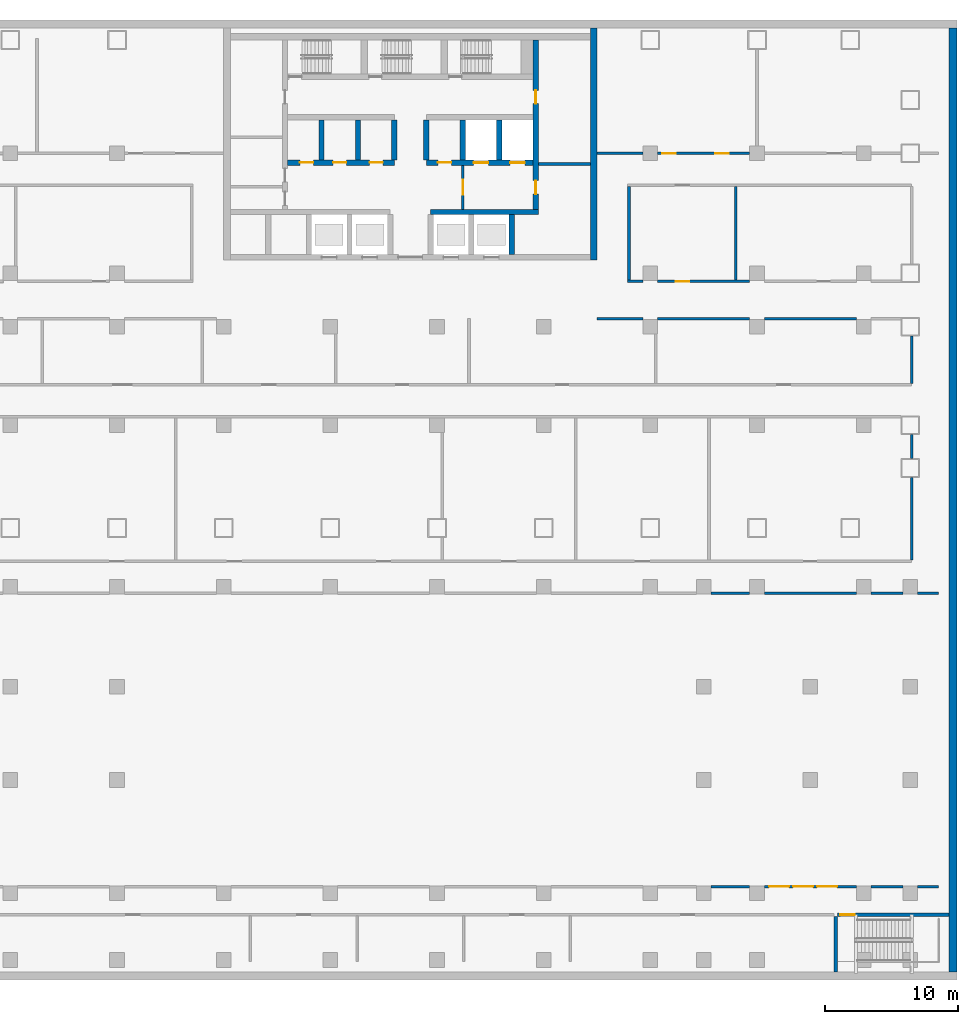
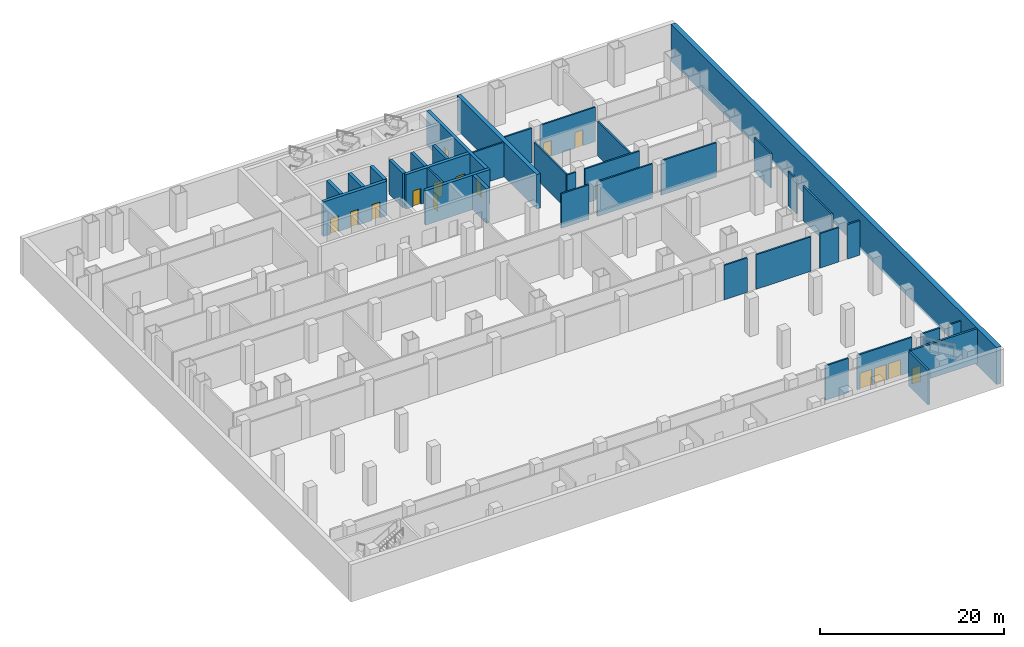
# One storey, part 6 of 12: 37 walls, 16 doors, 16 openings.
"""IFC4 building model written with IfcOpenShell, lengths in metres."""

from ifc_helpers import new_model, si_unit, direction, frame, frame_2d, origin, place, context, subcontext, project, spatial, rectangle, extrude, material, layer, layer_set, type_object, element, fill, save


model = new_model("IFC4")

# Units and contexts
model_context = context("Model", 3, precision=1e-05, world=origin(), true_north=direction((0.0, 1.0)))
body_context = subcontext(model_context, "Body", "Model", "MODEL_VIEW")
ifc_project = project(units=[si_unit("LENGTHUNIT", "METRE"), si_unit("AREAUNIT", "SQUARE_METRE"), si_unit("VOLUMEUNIT", "CUBIC_METRE"), si_unit("PLANEANGLEUNIT", "RADIAN"), si_unit("MASSUNIT", "GRAM", prefix="KILO")], contexts=[model_context])

# Site, building, storey
site_placement = place(None, origin())
site = spatial("IfcSite", under=ifc_project, at=site_placement, CompositionType="ELEMENT")
building_placement = place(site_placement, origin())
building = spatial("IfcBuilding", under=site, at=building_placement, Name="Vidyagriha Tower", CompositionType="ELEMENT")
storey_placement = place(building_placement, frame((0.0, 0.0, -5.0)))
storey = spatial("IfcBuildingStorey", under=building, at=storey_placement, Name="B1", CompositionType="ELEMENT", Elevation=-5.0)

# Wall
ifc_material_1 = material(Name="Concrete C50/60", Category="concrete")
ifc_layer_1 = layer(ifc_material_1, 0.60009765625)
ifc_layer_set_1 = layer_set([ifc_layer_1], Name="Concrete C50/60")
wall_type_1 = type_object("IfcWallType", Name="Basement retaining wall 600", PredefinedType="SOLIDWALL", material=ifc_layer_set_1)
wall_1_placement = place(storey_placement, frame((40.699951171875, -50.39990234375, -0.35009765625), z_axis=(0.0, 0.0, 1.0), x_axis=(0.0, 1.0, 0.0)))
element("IfcWall", 1, at=wall_1_placement, inside=storey, type_object=wall_type_1, Name="st-retwall-B1-e", PredefinedType="SOLIDWALL", context=body_context, shape_type="SweptSolid", body=[
    extrude(rectangle(XDim=70.7998046875, YDim=0.60009765625, at=frame_2d((35.39990234375, 0.0))), origin(), (0.0, 0.0, 1.0), 4.93017578125),
])

# Wall, opening, door
ifc_material_2 = material(Name="Concrete C32/40", Category="concrete")
ifc_layer_2 = layer(ifc_material_2, 0.25)
ifc_layer_set_2 = layer_set([ifc_layer_2], Name="Concrete C32/40")
wall_type_2 = type_object("IfcWallType", Name="Concrete Stair Enclosure Wall 250", PredefinedType="SOLIDWALL", material=ifc_layer_set_2)
wall_2_placement = place(storey_placement, frame((32.02490234375, -46.10009765625, 0.0)))
wall_2 = element("IfcWall", 2, at=wall_2_placement, inside=storey, type_object=wall_type_2, Name="B1 Concrete Stair Enclosure Wall 250 002", PredefinedType="SOLIDWALL", context=body_context, shape_type="SweptSolid", body=[
    extrude(rectangle(XDim=8.375, YDim=0.25, at=frame_2d((4.1875, 0.0))), origin(), (0.0, 0.0, 1.0), 4.580078125),
])
opening_1_placement = place(wall_2_placement, frame((0.219970703125, 0.0, 0.0)))
opening_1 = element("IfcOpeningElement", 3, at=opening_1_placement, cuts=wall_2, Name="Opening DB1-48", PredefinedType="OPENING", context=body_context, shape_type="SweptSolid", body=[
    extrude(rectangle(XDim=1.10009765625, YDim=2.10009765625, at=frame_2d((0.550048828125, 1.050048828125))), frame((0.0, 0.135009765625, 0.0), z_axis=(0.0, -1.0, 0.0), x_axis=(1.0, 0.0, 0.0)), (0.0, 0.0, 1.0), 0.27001953125),
])
ifc_material_3 = material(Name="Steel fire door set", Category="steel")
door_type_1 = type_object("IfcDoorType", Name="Podium Door 1100x2100 EI 90", OperationType="NOTDEFINED", PredefinedType="DOOR", material=ifc_material_3)
door_1_placement = place(opening_1_placement, origin())
door_1 = element("IfcDoor", 4, at=door_1_placement, inside=storey, type_object=door_type_1, Name="B1 door DB1-48", OperationType="SINGLE_SWING_LEFT", OverallHeight=2.10009765625, OverallWidth=1.10009765625, PredefinedType="DOOR", context=body_context, shape_type="SweptSolid", body=[
    extrude(rectangle(XDim=1.10009765625, YDim=2.10009765625, at=frame_2d((0.550048828125, 1.050048828125))), frame((0.0, 0.02490234375, 0.0), z_axis=(0.0, -1.0, 0.0), x_axis=(1.0, 0.0, 0.0)), (0.0, 0.0, 1.0), 0.050048828125),
])
fill(opening_1, door_1)

# Wall
wall_3_placement = place(storey_placement, frame((31.89990234375, -50.39990234375, 0.0), z_axis=(0.0, 0.0, 1.0), x_axis=(0.0, 1.0, 0.0)))
element("IfcWall", 5, at=wall_3_placement, inside=storey, type_object=wall_type_2, Name="B1 Concrete Stair Enclosure Wall 250 082", PredefinedType="SOLIDWALL", context=body_context, shape_type="SweptSolid", body=[
    extrude(rectangle(XDim=4.1748046875, YDim=0.25, at=frame_2d((2.08740234375, 0.0))), origin(), (0.0, 0.0, 1.0), 4.580078125),
])

# Wall, openings, doors
ifc_material_4 = material(Name="Concrete C60/75", Category="concrete")
ifc_layer_3 = layer(ifc_material_4, 0.39990234375)
ifc_layer_set_3 = layer_set([ifc_layer_3], Name="Concrete C60/75")
wall_type_3 = type_object("IfcWallType", Name="Core shear wall 400 mm", PredefinedType="SHEAR", material=ifc_layer_set_3)
wall_4_placement = place(storey_placement, frame((9.39990234375, 6.800048828125, 0.0), z_axis=(0.0, 0.0, 1.0), x_axis=(0.0, 1.0, 0.0)))
wall_4 = element("IfcWall", 6, at=wall_4_placement, inside=storey, type_object=wall_type_3, Name="Core east spine wall", PredefinedType="SHEAR", context=body_context, shape_type="SweptSolid", body=[
    extrude(rectangle(XDim=12.699951171875, YDim=0.39990234375, at=frame_2d((6.35009765625, 0.0))), origin(), (0.0, 0.0, 1.0), 4.580078125),
])
opening_2_placement = place(wall_4_placement, frame((1.14990234375, 0.0, 0.0)))
opening_2 = element("IfcOpeningElement", 7, at=opening_2_placement, cuts=wall_4, Name="Opening DB1-13", PredefinedType="OPENING", context=body_context, shape_type="SweptSolid", body=[
    extrude(rectangle(XDim=1.0, YDim=2.10009765625, at=frame_2d((0.5, 1.050048828125))), frame((0.0, 0.2099609375, 0.0), z_axis=(0.0, -1.0, 0.0), x_axis=(1.0, 0.0, 0.0)), (0.0, 0.0, 1.0), 0.419921875),
])
opening_3_placement = place(wall_4_placement, frame((7.925048828125, 0.0, 0.0)))
opening_3 = element("IfcOpeningElement", 8, at=opening_3_placement, cuts=wall_4, Name="Opening DB1-14", PredefinedType="OPENING", context=body_context, shape_type="SweptSolid", body=[
    extrude(rectangle(XDim=1.0, YDim=2.10009765625, at=frame_2d((0.5, 1.050048828125))), frame((0.0, 0.2099609375, 0.0), z_axis=(0.0, -1.0, 0.0), x_axis=(1.0, 0.0, 0.0)), (0.0, 0.0, 1.0), 0.419921875),
])
ifc_material_5 = material(Name="Hollow metal door leaf")
door_type_2 = type_object("IfcDoorType", Name="Core room door 1000 x 2100 mm EI 60", OperationType="NOTDEFINED", PredefinedType="DOOR", material=ifc_material_5)
door_2_placement = place(opening_2_placement, origin())
door_2 = element("IfcDoor", 9, at=door_2_placement, inside=storey, type_object=door_type_2, Name="Door Refuse Room B1.E1", OperationType="SINGLE_SWING_RIGHT", OverallHeight=2.10009765625, OverallWidth=1.0, PredefinedType="DOOR", context=body_context, shape_type="SweptSolid", body=[
    extrude(rectangle(XDim=1.0, YDim=2.10009765625, at=frame_2d((0.5, 1.050048828125))), frame((0.0, 0.02490234375, 0.0), z_axis=(0.0, -1.0, 0.0), x_axis=(1.0, 0.0, 0.0)), (0.0, 0.0, 1.0), 0.050048828125),
])
fill(opening_2, door_2)
door_3_placement = place(opening_3_placement, origin())
door_3 = element("IfcDoor", 10, at=door_3_placement, inside=storey, type_object=door_type_2, Name="Door Switchgear Room B1.E2", OperationType="SINGLE_SWING_LEFT", OverallHeight=2.10009765625, OverallWidth=1.0, PredefinedType="DOOR", context=body_context, shape_type="SweptSolid", body=[
    extrude(rectangle(XDim=1.0, YDim=2.10009765625, at=frame_2d((0.5, 1.050048828125))), frame((0.0, 0.02490234375, 0.0), z_axis=(0.0, -1.0, 0.0), x_axis=(1.0, 0.0, 0.0)), (0.0, 0.0, 1.0), 0.050048828125),
])
fill(opening_3, door_3)

# Walls
wall_5_placement = place(storey_placement, frame((1.522216796875, 6.60009765625, 0.0)))
element("IfcWall", 11, at=wall_5_placement, inside=storey, type_object=wall_type_3, Name="Core lobby south wall east", PredefinedType="SHEAR", context=body_context, shape_type="SweptSolid", body=[
    extrude(rectangle(XDim=8.077880859375, YDim=0.39990234375, at=frame_2d((4.0390625, 0.0))), origin(), (0.0, 0.0, 1.0), 4.580078125),
])
wall_6_placement = place(storey_placement, frame((7.611083984375, 3.39990234375, 0.0), z_axis=(0.0, 0.0, 1.0), x_axis=(0.0, 1.0, 0.0)))
element("IfcWall", 12, at=wall_6_placement, inside=storey, type_object=wall_type_3, Name="Core bay wall S7", PredefinedType="SHEAR", context=body_context, shape_type="SweptSolid", body=[
    extrude(rectangle(XDim=3.0, YDim=0.39990234375, at=frame_2d((1.5, 0.0))), origin(), (0.0, 0.0, 1.0), 4.580078125),
])

# Wall, openings, doors
wall_7_placement = place(storey_placement, frame((-9.199951171875, 10.300048828125, 0.0)))
wall_7 = element("IfcWall", 13, at=wall_7_placement, inside=storey, type_object=wall_type_3, Name="Core row N front wall", PredefinedType="SHEAR", context=body_context, shape_type="SweptSolid", body=[
    extrude(rectangle(XDim=8.0, YDim=0.39990234375, at=frame_2d((4.0, 0.0))), origin(), (0.0, 0.0, 1.0), 4.580078125),
])
opening_4_placement = place(wall_7_placement, frame((0.916748046875, 0.0, 0.0)))
opening_4 = element("IfcOpeningElement", 14, at=opening_4_placement, cuts=wall_7, Name="Opening DB1-02", PredefinedType="OPENING", context=body_context, shape_type="SweptSolid", body=[
    extrude(rectangle(XDim=1.0, YDim=2.10009765625, at=frame_2d((0.5, 1.050048828125))), frame((0.0, 0.2099609375, 0.0), z_axis=(0.0, -1.0, 0.0), x_axis=(1.0, 0.0, 0.0)), (0.0, 0.0, 1.0), 0.419921875),
])
opening_5_placement = place(wall_7_placement, frame((3.39990234375, 0.0, 0.0)))
opening_5 = element("IfcOpeningElement", 15, at=opening_5_placement, cuts=wall_7, Name="Opening DB1-03", PredefinedType="OPENING", context=body_context, shape_type="SweptSolid", body=[
    extrude(rectangle(XDim=1.0, YDim=2.10009765625, at=frame_2d((0.5, 1.050048828125))), frame((0.0, 0.2099609375, 0.0), z_axis=(0.0, -1.0, 0.0), x_axis=(1.0, 0.0, 0.0)), (0.0, 0.0, 1.0), 0.419921875),
])
opening_6_placement = place(wall_7_placement, frame((6.13330078125, 0.0, 0.0)))
opening_6 = element("IfcOpeningElement", 16, at=opening_6_placement, cuts=wall_7, Name="Opening DB1-04", PredefinedType="OPENING", context=body_context, shape_type="SweptSolid", body=[
    extrude(rectangle(XDim=1.0, YDim=2.10009765625, at=frame_2d((0.5, 1.050048828125))), frame((0.0, 0.2099609375, 0.0), z_axis=(0.0, -1.0, 0.0), x_axis=(1.0, 0.0, 0.0)), (0.0, 0.0, 1.0), 0.419921875),
])
door_4_placement = place(opening_4_placement, frame((1.0, 0.0, 0.0), z_axis=(0.0, 0.0, 1.0), x_axis=(-1.0, 0.0, 0.0)))
door_4 = element("IfcDoor", 17, at=door_4_placement, inside=storey, type_object=door_type_2, Name="Door Switchgear Room B1.14", OperationType="SINGLE_SWING_RIGHT", OverallHeight=2.10009765625, OverallWidth=1.0, PredefinedType="DOOR", context=body_context, shape_type="SweptSolid", body=[
    extrude(rectangle(XDim=1.0, YDim=2.10009765625, at=frame_2d((0.5, 1.050048828125))), frame((0.0, 0.02490234375, 0.0), z_axis=(0.0, -1.0, 0.0), x_axis=(1.0, 0.0, 0.0)), (0.0, 0.0, 1.0), 0.050048828125),
])
fill(opening_4, door_4)
door_5_placement = place(opening_5_placement, frame((1.0, 0.0, 0.0), z_axis=(0.0, 0.0, 1.0), x_axis=(-1.0, 0.0, 0.0)))
door_5 = element("IfcDoor", 18, at=door_5_placement, inside=storey, type_object=door_type_2, Name="Door Electrical Room B1.15", OperationType="SINGLE_SWING_RIGHT", OverallHeight=2.10009765625, OverallWidth=1.0, PredefinedType="DOOR", context=body_context, shape_type="SweptSolid", body=[
    extrude(rectangle(XDim=1.0, YDim=2.10009765625, at=frame_2d((0.5, 1.050048828125))), frame((0.0, 0.02490234375, 0.0), z_axis=(0.0, -1.0, 0.0), x_axis=(1.0, 0.0, 0.0)), (0.0, 0.0, 1.0), 0.050048828125),
])
fill(opening_5, door_5)
door_6_placement = place(opening_6_placement, frame((1.0, 0.0, 0.0), z_axis=(0.0, 0.0, 1.0), x_axis=(-1.0, 0.0, 0.0)))
door_6 = element("IfcDoor", 19, at=door_6_placement, inside=storey, type_object=door_type_2, Name="Door Cleaners Store B1.16", OperationType="SINGLE_SWING_LEFT", OverallHeight=2.10009765625, OverallWidth=1.0, PredefinedType="DOOR", context=body_context, shape_type="SweptSolid", body=[
    extrude(rectangle(XDim=1.0, YDim=2.10009765625, at=frame_2d((0.5, 1.050048828125))), frame((0.0, 0.02490234375, 0.0), z_axis=(0.0, -1.0, 0.0), x_axis=(1.0, 0.0, 0.0)), (0.0, 0.0, 1.0), 0.050048828125),
])
fill(opening_6, door_6)

wall_8_placement = place(storey_placement, frame((1.199951171875, 10.300048828125, 0.0)))
wall_8 = element("IfcWall", 20, at=wall_8_placement, inside=storey, type_object=wall_type_3, Name="Core row N front wall", PredefinedType="SHEAR", context=body_context, shape_type="SweptSolid", body=[
    extrude(rectangle(XDim=8.0, YDim=0.39990234375, at=frame_2d((4.0, 0.0))), origin(), (0.0, 0.0, 1.0), 4.580078125),
])
opening_7_placement = place(wall_8_placement, frame((3.550048828125, 0.0, 0.0)))
opening_7 = element("IfcOpeningElement", 21, at=opening_7_placement, cuts=wall_8, Name="Opening LDB1-05", PredefinedType="OPENING", context=body_context, shape_type="SweptSolid", body=[
    extrude(rectangle(XDim=1.10009765625, YDim=2.10009765625, at=frame_2d((0.550048828125, 1.050048828125))), frame((0.0, 0.2099609375, 0.0), z_axis=(0.0, -1.0, 0.0), x_axis=(1.0, 0.0, 0.0)), (0.0, 0.0, 1.0), 0.419921875),
])
opening_8_placement = place(wall_8_placement, frame((6.283203125, 0.0, 0.0)))
opening_8 = element("IfcOpeningElement", 22, at=opening_8_placement, cuts=wall_8, Name="Opening LDB1-06", PredefinedType="OPENING", context=body_context, shape_type="SweptSolid", body=[
    extrude(rectangle(XDim=1.10009765625, YDim=2.10009765625, at=frame_2d((0.550048828125, 1.050048828125))), frame((0.0, 0.2099609375, 0.0), z_axis=(0.0, -1.0, 0.0), x_axis=(1.0, 0.0, 0.0)), (0.0, 0.0, 1.0), 0.419921875),
])
opening_9_placement = place(wall_8_placement, frame((0.86669921875, 0.0, 0.0)))
opening_9 = element("IfcOpeningElement", 23, at=opening_9_placement, cuts=wall_8, Name="Opening DB1-05", PredefinedType="OPENING", context=body_context, shape_type="SweptSolid", body=[
    extrude(rectangle(XDim=1.0, YDim=2.10009765625, at=frame_2d((0.5, 1.050048828125))), frame((0.0, 0.2099609375, 0.0), z_axis=(0.0, -1.0, 0.0), x_axis=(1.0, 0.0, 0.0)), (0.0, 0.0, 1.0), 0.419921875),
])
door_7_placement = place(opening_9_placement, frame((1.0, 0.0, 0.0), z_axis=(0.0, 0.0, 1.0), x_axis=(-1.0, 0.0, 0.0)))
door_7 = element("IfcDoor", 24, at=door_7_placement, inside=storey, type_object=door_type_2, Name="Door Pressurisation Plant Room B1.17", OperationType="SINGLE_SWING_LEFT", OverallHeight=2.10009765625, OverallWidth=1.0, PredefinedType="DOOR", context=body_context, shape_type="SweptSolid", body=[
    extrude(rectangle(XDim=1.0, YDim=2.10009765625, at=frame_2d((0.5, 1.050048828125))), frame((0.0, 0.02490234375, 0.0), z_axis=(0.0, -1.0, 0.0), x_axis=(1.0, 0.0, 0.0)), (0.0, 0.0, 1.0), 0.050048828125),
])
fill(opening_9, door_7)
ifc_material_6 = material(Name="Stainless steel sliding door panel", Category="steel")
door_type_3 = type_object("IfcDoorType", Name="Lift landing door 1100 x 2100 mm EI 90", OperationType="NOTDEFINED", PredefinedType="DOOR", material=ifc_material_6)
door_8_placement = place(opening_7_placement, origin())
door_8 = element("IfcDoor", 25, at=door_8_placement, inside=storey, type_object=door_type_3, Name="Landing door FF1 B1", OperationType="SLIDING_TO_LEFT", OverallHeight=2.10009765625, OverallWidth=1.10009765625, PredefinedType="DOOR", context=body_context, shape_type="SweptSolid", body=[
    extrude(rectangle(XDim=1.10009765625, YDim=2.10009765625, at=frame_2d((0.550048828125, 1.050048828125))), frame((0.0, 0.02490234375, 0.0), z_axis=(0.0, -1.0, 0.0), x_axis=(1.0, 0.0, 0.0)), (0.0, 0.0, 1.0), 0.050048828125),
])
fill(opening_7, door_8)
door_9_placement = place(opening_8_placement, origin())
door_9 = element("IfcDoor", 26, at=door_9_placement, inside=storey, type_object=door_type_3, Name="Landing door FF2 B1", OperationType="SLIDING_TO_LEFT", OverallHeight=2.10009765625, OverallWidth=1.10009765625, PredefinedType="DOOR", context=body_context, shape_type="SweptSolid", body=[
    extrude(rectangle(XDim=1.10009765625, YDim=2.10009765625, at=frame_2d((0.550048828125, 1.050048828125))), frame((0.0, 0.02490234375, 0.0), z_axis=(0.0, -1.0, 0.0), x_axis=(1.0, 0.0, 0.0)), (0.0, 0.0, 1.0), 0.050048828125),
])
fill(opening_8, door_9)

# Walls
for number, where, z_axis, x_axis, name in (
    (27, (-6.666748046875, 10.5, 0.0), (0.0, 0.0, 1.0), (0.0, 1.0, 0.0), "Core bay wall N1"),
    (28, (-3.933349609375, 10.5, 0.0), (0.0, 0.0, 1.0), (0.0, 1.0, 0.0), "Core bay wall N2"),
    (29, (-1.199951171875, 10.5, 0.0), (0.0, 0.0, 1.0), (0.0, 1.0, 0.0), "Core bay wall N3"),
    (30, (1.199951171875, 10.5, 0.0), (0.0, 0.0, 1.0), (0.0, 1.0, 0.0), "Core bay wall N4"),
    (31, (3.933349609375, 10.5, 0.0), (0.0, 0.0, 1.0), (0.0, 1.0, 0.0), "Core bay wall N5"),
    (32, (6.666748046875, 10.5, 0.0), (0.0, 0.0, 1.0), (0.0, 1.0, 0.0), "Core bay wall N6"),
):
    element("IfcWall", number, at=place(storey_placement, frame(where, z_axis=z_axis, x_axis=x_axis)), inside=storey, type_object=wall_type_3, Name=name, PredefinedType="SHEAR", context=body_context, shape_type="SweptSolid", body=[
        extrude(rectangle(XDim=3.0, YDim=0.39990234375, at=frame_2d((1.5, 0.0))), origin(), (0.0, 0.0, 1.0), 4.580078125),
    ])
ifc_material_7 = material(Name="Concrete C60/75", Category="concrete")
ifc_layer_4 = layer(ifc_material_7, 0.5)
ifc_layer_set_4 = layer_set([ifc_layer_4], Name="Concrete C60/75")
wall_type_4 = type_object("IfcWallType", Name="Core shear wall 500 mm", PredefinedType="SHEAR", material=ifc_layer_set_4)
wall_9_placement = place(storey_placement, frame((13.75, 3.0, 0.0), z_axis=(0.0, 0.0, 1.0), x_axis=(0.0, 1.0, 0.0)))
element("IfcWall", 33, at=wall_9_placement, inside=storey, type_object=wall_type_4, Name="Core east wall", PredefinedType="SHEAR", context=body_context, shape_type="SweptSolid", body=[
    extrude(rectangle(XDim=17.39990234375, YDim=0.5, at=frame_2d((8.699951171875, 0.0))), origin(), (0.0, 0.0, 1.0), 4.580078125),
])
ifc_material_8 = material(Name="Fire rated gypsum board on light gauge framing")
ifc_layer_5 = layer(ifc_material_8, 0.199951171875)
ifc_layer_set_5 = layer_set([ifc_layer_5], Name="Fire rated gypsum board on light gauge framing")
wall_type_5 = type_object("IfcWallType", Name="Fire Rated Corridor Wall 200", PredefinedType="PARTITIONING", material=ifc_layer_set_5)
wall_10_placement = place(storey_placement, frame((22.550048828125, -44.0, 0.0)))
element("IfcWall", 34, at=wall_10_placement, inside=storey, type_object=wall_type_5, Name="B1 Fire Rated Corridor Wall 200 012", PredefinedType="PARTITIONING", context=body_context, shape_type="SweptSolid", body=[
    extrude(rectangle(XDim=2.89990234375, YDim=0.199951171875, at=frame_2d((1.449951171875, 0.0))), origin(), (0.0, 0.0, 1.0), 4.580078125),
])

# Wall, openings, doors
wall_11_placement = place(storey_placement, frame((26.550048828125, -44.0, 0.0)))
wall_11 = element("IfcWall", 35, at=wall_11_placement, inside=storey, type_object=wall_type_5, Name="B1 Fire Rated Corridor Wall 200 013", PredefinedType="PARTITIONING", context=body_context, shape_type="SweptSolid", body=[
    extrude(rectangle(XDim=6.89990234375, YDim=0.199951171875, at=frame_2d((3.449951171875, 0.0))), origin(), (0.0, 0.0, 1.0), 4.580078125),
])
opening_10_placement = place(wall_11_placement, frame((0.35009765625, 0.0, 0.0)))
opening_10 = element("IfcOpeningElement", 36, at=opening_10_placement, cuts=wall_11, Name="Opening DB1-44", PredefinedType="OPENING", context=body_context, shape_type="SweptSolid", body=[
    extrude(rectangle(XDim=1.5, YDim=2.10009765625, at=frame_2d((0.75, 1.050048828125))), frame((0.0, 0.10986328125, 0.0), z_axis=(0.0, -1.0, 0.0), x_axis=(1.0, 0.0, 0.0)), (0.0, 0.0, 1.0), 0.219970703125),
])
opening_11_placement = place(wall_11_placement, frame((2.14990234375, 0.0, 0.0)))
opening_11 = element("IfcOpeningElement", 37, at=opening_11_placement, cuts=wall_11, Name="Opening DB1-45", PredefinedType="OPENING", context=body_context, shape_type="SweptSolid", body=[
    extrude(rectangle(XDim=1.5, YDim=2.10009765625, at=frame_2d((0.75, 1.050048828125))), frame((0.0, 0.10986328125, 0.0), z_axis=(0.0, -1.0, 0.0), x_axis=(1.0, 0.0, 0.0)), (0.0, 0.0, 1.0), 0.219970703125),
])
opening_12_placement = place(wall_11_placement, frame((3.949951171875, 0.0, 0.0)))
opening_12 = element("IfcOpeningElement", 38, at=opening_12_placement, cuts=wall_11, Name="Opening DB1-46", PredefinedType="OPENING", context=body_context, shape_type="SweptSolid", body=[
    extrude(rectangle(XDim=1.5, YDim=2.10009765625, at=frame_2d((0.75, 1.050048828125))), frame((0.0, 0.10986328125, 0.0), z_axis=(0.0, -1.0, 0.0), x_axis=(1.0, 0.0, 0.0)), (0.0, 0.0, 1.0), 0.219970703125),
])
ifc_material_9 = material(Name="Steel fire door set", Category="steel")
door_type_4 = type_object("IfcDoorType", Name="Podium Door 1500x2100 EI 60 Pair", OperationType="NOTDEFINED", PredefinedType="DOOR", material=ifc_material_9)
door_10_placement = place(opening_10_placement, frame((1.5, 0.0, 0.0), z_axis=(0.0, 0.0, 1.0), x_axis=(-1.0, 0.0, 0.0)))
door_10 = element("IfcDoor", 39, at=door_10_placement, inside=storey, type_object=door_type_4, Name="B1 door DB1-44", OperationType="DOUBLE_DOOR_SINGLE_SWING", OverallHeight=2.10009765625, OverallWidth=1.5, PredefinedType="DOOR", context=body_context, shape_type="SweptSolid", body=[
    extrude(rectangle(XDim=1.5, YDim=2.10009765625, at=frame_2d((0.75, 1.050048828125))), frame((0.0, 0.02490234375, 0.0), z_axis=(0.0, -1.0, 0.0), x_axis=(1.0, 0.0, 0.0)), (0.0, 0.0, 1.0), 0.050048828125),
])
fill(opening_10, door_10)
door_11_placement = place(opening_11_placement, frame((1.5, 0.0, 0.0), z_axis=(0.0, 0.0, 1.0), x_axis=(-1.0, 0.0, 0.0)))
door_11 = element("IfcDoor", 40, at=door_11_placement, inside=storey, type_object=door_type_4, Name="B1 door DB1-45", OperationType="DOUBLE_DOOR_SINGLE_SWING", OverallHeight=2.10009765625, OverallWidth=1.5, PredefinedType="DOOR", context=body_context, shape_type="SweptSolid", body=[
    extrude(rectangle(XDim=1.5, YDim=2.10009765625, at=frame_2d((0.75, 1.050048828125))), frame((0.0, 0.02490234375, 0.0), z_axis=(0.0, -1.0, 0.0), x_axis=(1.0, 0.0, 0.0)), (0.0, 0.0, 1.0), 0.050048828125),
])
fill(opening_11, door_11)
door_12_placement = place(opening_12_placement, frame((1.5, 0.0, 0.0), z_axis=(0.0, 0.0, 1.0), x_axis=(-1.0, 0.0, 0.0)))
door_12 = element("IfcDoor", 41, at=door_12_placement, inside=storey, type_object=door_type_4, Name="B1 door DB1-46", OperationType="DOUBLE_DOOR_SINGLE_SWING", OverallHeight=2.10009765625, OverallWidth=1.5, PredefinedType="DOOR", context=body_context, shape_type="SweptSolid", body=[
    extrude(rectangle(XDim=1.5, YDim=2.10009765625, at=frame_2d((0.75, 1.050048828125))), frame((0.0, 0.02490234375, 0.0), z_axis=(0.0, -1.0, 0.0), x_axis=(1.0, 0.0, 0.0)), (0.0, 0.0, 1.0), 0.050048828125),
])
fill(opening_12, door_12)

# Walls
wall_12_placement = place(storey_placement, frame((34.550048828125, -44.0, 0.0)))
element("IfcWall", 42, at=wall_12_placement, inside=storey, type_object=wall_type_5, Name="B1 Fire Rated Corridor Wall 200 014", PredefinedType="PARTITIONING", context=body_context, shape_type="SweptSolid", body=[
    extrude(rectangle(XDim=2.39990234375, YDim=0.199951171875, at=frame_2d((1.199951171875, 0.0))), origin(), (0.0, 0.0, 1.0), 4.580078125),
])
wall_13_placement = place(storey_placement, frame((38.050048828125, -44.0, 0.0)))
element("IfcWall", 43, at=wall_13_placement, inside=storey, type_object=wall_type_5, Name="B1 Fire Rated Corridor Wall 200 015", PredefinedType="PARTITIONING", context=body_context, shape_type="SweptSolid", body=[
    extrude(rectangle(XDim=1.550048828125, YDim=0.199951171875, at=frame_2d((0.77490234375, 0.0))), origin(), (0.0, 0.0, 1.0), 4.580078125),
])
wall_14_placement = place(storey_placement, frame((22.550048828125, -22.0, 0.0)))
element("IfcWall", 44, at=wall_14_placement, inside=storey, type_object=wall_type_5, Name="B1 Fire Rated Corridor Wall 200 025", PredefinedType="PARTITIONING", context=body_context, shape_type="SweptSolid", body=[
    extrude(rectangle(XDim=2.89990234375, YDim=0.199951171875, at=frame_2d((1.449951171875, 0.0))), origin(), (0.0, 0.0, 1.0), 4.580078125),
])
wall_15_placement = place(storey_placement, frame((26.550048828125, -22.0, 0.0)))
element("IfcWall", 45, at=wall_15_placement, inside=storey, type_object=wall_type_5, Name="B1 Fire Rated Corridor Wall 200 026", PredefinedType="PARTITIONING", context=body_context, shape_type="SweptSolid", body=[
    extrude(rectangle(XDim=6.89990234375, YDim=0.199951171875, at=frame_2d((3.449951171875, 0.0))), origin(), (0.0, 0.0, 1.0), 4.580078125),
])
wall_16_placement = place(storey_placement, frame((34.550048828125, -22.0, 0.0)))
element("IfcWall", 46, at=wall_16_placement, inside=storey, type_object=wall_type_5, Name="B1 Fire Rated Corridor Wall 200 027", PredefinedType="PARTITIONING", context=body_context, shape_type="SweptSolid", body=[
    extrude(rectangle(XDim=2.39990234375, YDim=0.199951171875, at=frame_2d((1.199951171875, 0.0))), origin(), (0.0, 0.0, 1.0), 4.580078125),
])
wall_17_placement = place(storey_placement, frame((38.050048828125, -22.0, 0.0)))
element("IfcWall", 47, at=wall_17_placement, inside=storey, type_object=wall_type_5, Name="B1 Fire Rated Corridor Wall 200 028", PredefinedType="PARTITIONING", context=body_context, shape_type="SweptSolid", body=[
    extrude(rectangle(XDim=1.550048828125, YDim=0.199951171875, at=frame_2d((0.77490234375, 0.0))), origin(), (0.0, 0.0, 1.0), 4.580078125),
])
wall_18_placement = place(storey_placement, frame((14.0, -1.39990234375, 0.0)))
element("IfcWall", 48, at=wall_18_placement, inside=storey, type_object=wall_type_5, Name="B1 Fire Rated Corridor Wall 200 035", PredefinedType="PARTITIONING", context=body_context, shape_type="SweptSolid", body=[
    extrude(rectangle(XDim=3.449951171875, YDim=0.199951171875, at=frame_2d((1.72509765625, 0.0))), origin(), (0.0, 0.0, 1.0), 4.580078125),
])
for number, where, name in (
    (49, (18.550048828125, -1.39990234375, 0.0), "B1 Fire Rated Corridor Wall 200 036"),
    (50, (26.550048828125, -1.39990234375, 0.0), "B1 Fire Rated Corridor Wall 200 037"),
):
    element("IfcWall", number, at=place(storey_placement, frame(where)), inside=storey, type_object=wall_type_5, Name=name, PredefinedType="PARTITIONING", context=body_context, shape_type="SweptSolid", body=[
        extrude(rectangle(XDim=6.89990234375, YDim=0.199951171875, at=frame_2d((3.449951171875, 0.0))), origin(), (0.0, 0.0, 1.0), 4.580078125),
    ])
wall_19_placement = place(storey_placement, frame((16.300048828125, 1.39990234375, 0.0)))
element("IfcWall", 51, at=wall_19_placement, inside=storey, type_object=wall_type_5, Name="B1 Fire Rated Corridor Wall 200 042", PredefinedType="PARTITIONING", context=body_context, shape_type="SweptSolid", body=[
    extrude(rectangle(XDim=1.14990234375, YDim=0.199951171875, at=frame_2d((0.574951171875, 0.0))), origin(), (0.0, 0.0, 1.0), 4.580078125),
])

# Wall, opening, door
wall_20_placement = place(storey_placement, frame((18.550048828125, 1.39990234375, 0.0)))
wall_20 = element("IfcWall", 52, at=wall_20_placement, inside=storey, type_object=wall_type_5, Name="B1 Fire Rated Corridor Wall 200 043", PredefinedType="PARTITIONING", context=body_context, shape_type="SweptSolid", body=[
    extrude(rectangle(XDim=6.89990234375, YDim=0.199951171875, at=frame_2d((3.449951171875, 0.0))), origin(), (0.0, 0.0, 1.0), 4.580078125),
])
opening_13_placement = place(wall_20_placement, frame((1.35009765625, 0.0, 0.0)))
opening_13 = element("IfcOpeningElement", 53, at=opening_13_placement, cuts=wall_20, Name="Opening DB1-35", PredefinedType="OPENING", context=body_context, shape_type="SweptSolid", body=[
    extrude(rectangle(XDim=1.0, YDim=2.10009765625, at=frame_2d((0.5, 1.050048828125))), frame((0.0, 0.10986328125, 0.0), z_axis=(0.0, -1.0, 0.0), x_axis=(1.0, 0.0, 0.0)), (0.0, 0.0, 1.0), 0.219970703125),
])
ifc_material_10 = material(Name="Steel fire door set", Category="steel")
door_type_5 = type_object("IfcDoorType", Name="Podium Door 1000x2100 EI 60", OperationType="NOTDEFINED", PredefinedType="DOOR", material=ifc_material_10)
door_13_placement = place(opening_13_placement, origin())
door_13 = element("IfcDoor", 54, at=door_13_placement, inside=storey, type_object=door_type_5, Name="B1 door DB1-35", OperationType="SINGLE_SWING_LEFT", OverallHeight=2.10009765625, OverallWidth=1.0, PredefinedType="DOOR", context=body_context, shape_type="SweptSolid", body=[
    extrude(rectangle(XDim=1.0, YDim=2.10009765625, at=frame_2d((0.5, 1.050048828125))), frame((0.0, 0.02490234375, 0.0), z_axis=(0.0, -1.0, 0.0), x_axis=(1.0, 0.0, 0.0)), (0.0, 0.0, 1.0), 0.050048828125),
])
fill(opening_13, door_13)

# Wall
wall_21_placement = place(storey_placement, frame((14.0, 11.0, 0.0)))
element("IfcWall", 55, at=wall_21_placement, inside=storey, type_object=wall_type_5, Name="B1 Fire Rated Corridor Wall 200 052", PredefinedType="PARTITIONING", context=body_context, shape_type="SweptSolid", body=[
    extrude(rectangle(XDim=3.449951171875, YDim=0.199951171875, at=frame_2d((1.72509765625, 0.0))), origin(), (0.0, 0.0, 1.0), 4.580078125),
])

# Wall, openings, doors
wall_22_placement = place(storey_placement, frame((18.550048828125, 11.0, 0.0)))
wall_22 = element("IfcWall", 56, at=wall_22_placement, inside=storey, type_object=wall_type_5, Name="B1 Fire Rated Corridor Wall 200 053", PredefinedType="PARTITIONING", context=body_context, shape_type="SweptSolid", body=[
    extrude(rectangle(XDim=6.89990234375, YDim=0.199951171875, at=frame_2d((3.449951171875, 0.0))), origin(), (0.0, 0.0, 1.0), 4.580078125),
])
opening_14_placement = place(wall_22_placement, frame((0.35009765625, 0.0, 0.0)))
opening_14 = element("IfcOpeningElement", 57, at=opening_14_placement, cuts=wall_22, Name="Opening DB1-41", PredefinedType="OPENING", context=body_context, shape_type="SweptSolid", body=[
    extrude(rectangle(XDim=1.0, YDim=2.10009765625, at=frame_2d((0.5, 1.050048828125))), frame((0.0, 0.10986328125, 0.0), z_axis=(0.0, -1.0, 0.0), x_axis=(1.0, 0.0, 0.0)), (0.0, 0.0, 1.0), 0.219970703125),
])
opening_15_placement = place(wall_22_placement, frame((4.31005859375, 0.0, 0.0)))
opening_15 = element("IfcOpeningElement", 58, at=opening_15_placement, cuts=wall_22, Name="Opening DB1-42", PredefinedType="OPENING", context=body_context, shape_type="SweptSolid", body=[
    extrude(rectangle(XDim=1.0, YDim=2.10009765625, at=frame_2d((0.5, 1.050048828125))), frame((0.0, 0.10986328125, 0.0), z_axis=(0.0, -1.0, 0.0), x_axis=(1.0, 0.0, 0.0)), (0.0, 0.0, 1.0), 0.219970703125),
])
door_14_placement = place(opening_14_placement, origin())
door_14 = element("IfcDoor", 59, at=door_14_placement, inside=storey, type_object=door_type_5, Name="B1 door DB1-41", OperationType="SINGLE_SWING_LEFT", OverallHeight=2.10009765625, OverallWidth=1.0, PredefinedType="DOOR", context=body_context, shape_type="SweptSolid", body=[
    extrude(rectangle(XDim=1.0, YDim=2.10009765625, at=frame_2d((0.5, 1.050048828125))), frame((0.0, 0.02490234375, 0.0), z_axis=(0.0, -1.0, 0.0), x_axis=(1.0, 0.0, 0.0)), (0.0, 0.0, 1.0), 0.050048828125),
])
fill(opening_14, door_14)
door_15_placement = place(opening_15_placement, origin())
door_15 = element("IfcDoor", 60, at=door_15_placement, inside=storey, type_object=door_type_5, Name="B1 door DB1-42", OperationType="SINGLE_SWING_RIGHT", OverallHeight=2.10009765625, OverallWidth=1.0, PredefinedType="DOOR", context=body_context, shape_type="SweptSolid", body=[
    extrude(rectangle(XDim=1.0, YDim=2.10009765625, at=frame_2d((0.5, 1.050048828125))), frame((0.0, 0.02490234375, 0.0), z_axis=(0.0, -1.0, 0.0), x_axis=(1.0, 0.0, 0.0)), (0.0, 0.0, 1.0), 0.050048828125),
])
fill(opening_15, door_15)

# Walls
for number, where, z_axis, x_axis, name in (
    (61, (16.39990234375, 1.5, 0.0), (0.0, 0.0, 1.0), (0.0, 1.0, 0.0), "B1 Fire Rated Corridor Wall 200 077"),
    (62, (24.39990234375, 1.5, 0.0), (0.0, 0.0, 1.0), (0.0, 1.0, 0.0), "B1 Fire Rated Corridor Wall 200 080"),
):
    element("IfcWall", number, at=place(storey_placement, frame(where, z_axis=z_axis, x_axis=x_axis)), inside=storey, type_object=wall_type_5, Name=name, PredefinedType="PARTITIONING", context=body_context, shape_type="SweptSolid", body=[
        extrude(rectangle(XDim=7.0, YDim=0.199951171875, at=frame_2d((3.5, 0.0))), origin(), (0.0, 0.0, 1.0), 4.580078125),
    ])
wall_23_placement = place(storey_placement, frame((37.60009765625, -19.5, 0.0), z_axis=(0.0, 0.0, 1.0), x_axis=(0.0, 1.0, 0.0)))
element("IfcWall", 63, at=wall_23_placement, inside=storey, type_object=wall_type_5, Name="B1 Fire Rated Corridor Wall 200 083", PredefinedType="PARTITIONING", context=body_context, shape_type="SweptSolid", body=[
    extrude(rectangle(XDim=6.199951171875, YDim=0.199951171875, at=frame_2d((3.10009765625, 0.0))), origin(), (0.0, 0.0, 1.0), 4.580078125),
])
wall_24_placement = place(storey_placement, frame((37.60009765625, -11.89990234375, 0.0), z_axis=(0.0, 0.0, 1.0), x_axis=(0.0, 1.0, 0.0)))
element("IfcWall", 64, at=wall_24_placement, inside=storey, type_object=wall_type_5, Name="B1 Fire Rated Corridor Wall 200 084", PredefinedType="PARTITIONING", context=body_context, shape_type="SweptSolid", body=[
    extrude(rectangle(XDim=1.7998046875, YDim=0.199951171875, at=frame_2d((0.89990234375, 0.0))), origin(), (0.0, 0.0, 1.0), 4.580078125),
])
wall_25_placement = place(storey_placement, frame((37.60009765625, -6.25, 0.0), z_axis=(0.0, 0.0, 1.0), x_axis=(0.0, 1.0, 0.0)))
element("IfcWall", 65, at=wall_25_placement, inside=storey, type_object=wall_type_5, Name="B1 Fire Rated Corridor Wall 200 085", PredefinedType="PARTITIONING", context=body_context, shape_type="SweptSolid", body=[
    extrude(rectangle(XDim=3.550048828125, YDim=0.199951171875, at=frame_2d((1.77490234375, 0.0))), origin(), (0.0, 0.0, 1.0), 4.580078125),
])

# Wall, opening, door
ifc_material_11 = material(Name="Blockwork 15 MPa", Category="masonry")
ifc_layer_6 = layer(ifc_material_11, 0.199951171875)
ifc_layer_set_6 = layer_set([ifc_layer_6], Name="Blockwork 15 MPa")
wall_type_6 = type_object("IfcWallType", Name="Service room partition 200 mm", PredefinedType="PARTITIONING", material=ifc_layer_set_6)
wall_26_placement = place(storey_placement, frame((3.933349609375, 6.800048828125, 0.0), z_axis=(0.0, 0.0, 1.0), x_axis=(0.0, 1.0, 0.0)))
wall_26 = element("IfcWall", 66, at=wall_26_placement, inside=storey, type_object=wall_type_6, Name="Fire-fighting lobby west wall", PredefinedType="PARTITIONING", context=body_context, shape_type="SweptSolid", body=[
    extrude(rectangle(XDim=3.300048828125, YDim=0.199951171875, at=frame_2d((1.64990234375, 0.0))), origin(), (0.0, 0.0, 1.0), 4.580078125),
])
opening_16_placement = place(wall_26_placement, frame((1.10009765625, 0.0, 0.0)))
opening_16 = element("IfcOpeningElement", 67, at=opening_16_placement, cuts=wall_26, Name="Opening DB1-06", PredefinedType="OPENING", context=body_context, shape_type="SweptSolid", body=[
    extrude(rectangle(XDim=1.10009765625, YDim=2.10009765625, at=frame_2d((0.550048828125, 1.050048828125))), frame((0.0, 0.10986328125, 0.0), z_axis=(0.0, -1.0, 0.0), x_axis=(1.0, 0.0, 0.0)), (0.0, 0.0, 1.0), 0.219970703125),
])
ifc_material_12 = material(Name="Hollow metal door leaf")
door_type_6 = type_object("IfcDoorType", Name="Fire-fighting lobby door 1100 x 2100 mm EI 90", OperationType="NOTDEFINED", PredefinedType="DOOR", material=ifc_material_12)
door_16_placement = place(opening_16_placement, origin())
door_16 = element("IfcDoor", 68, at=door_16_placement, inside=storey, type_object=door_type_6, Name="Fire-fighting lobby door B1", OperationType="SINGLE_SWING_RIGHT", OverallHeight=2.10009765625, OverallWidth=1.10009765625, PredefinedType="DOOR", context=body_context, shape_type="SweptSolid", body=[
    extrude(rectangle(XDim=1.10009765625, YDim=2.10009765625, at=frame_2d((0.550048828125, 1.050048828125))), frame((0.0, 0.02490234375, 0.0), z_axis=(0.0, -1.0, 0.0), x_axis=(1.0, 0.0, 0.0)), (0.0, 0.0, 1.0), 0.050048828125),
])
fill(opening_16, door_16)

# Wall
wall_27_placement = place(storey_placement, frame((9.60009765625, 10.199951171875, 0.0)))
element("IfcWall", 69, at=wall_27_placement, inside=storey, type_object=wall_type_6, Name="Core room partition E1", PredefinedType="PARTITIONING", context=body_context, shape_type="SweptSolid", body=[
    extrude(rectangle(XDim=3.89990234375, YDim=0.199951171875, at=frame_2d((1.949951171875, 0.0))), origin(), (0.0, 0.0, 1.0), 4.580078125),
])

save(model, "model.ifc")
